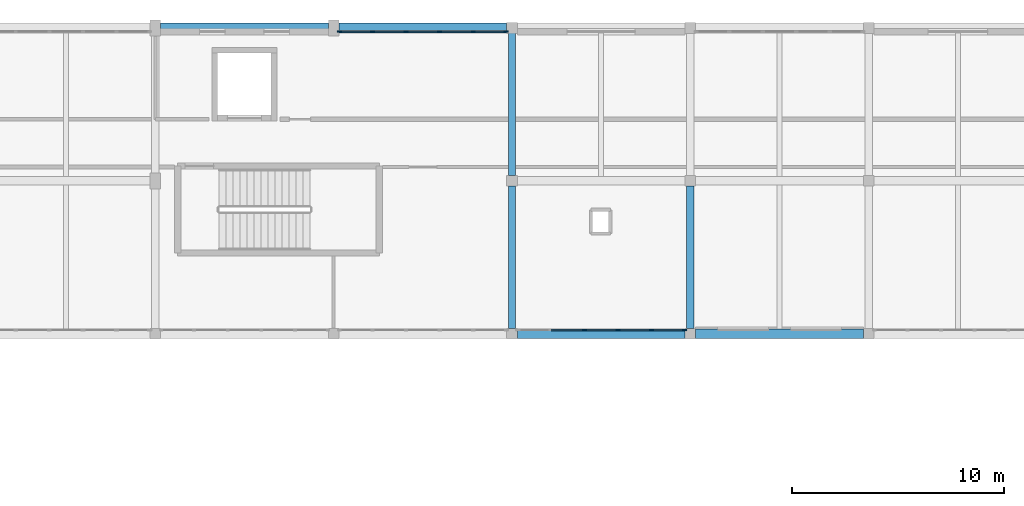
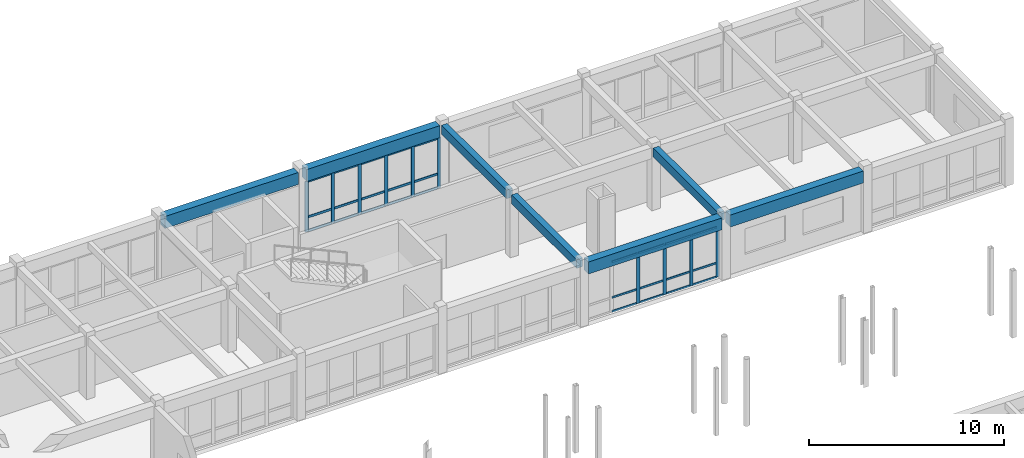
# One storey, part 50 of 89: 37 members, 7 beams, 2 elements without a shape of their own.
"""IFC4 building model written with IfcOpenShell, lengths in metres."""

from ifc_helpers import new_model, si_unit, direction, frame, origin, origin_2d, place, context, subcontext, project, spatial, rectangle, extrude, material, material_profile, profile_set, type_object, element, aggregate, save


model = new_model("IFC4")

# Units and contexts
model_context = context("Model", 3, precision=1e-05, world=origin(), true_north=direction((0.0, 1.0)))
body_context = subcontext(model_context, "Body", "Model", "MODEL_VIEW")
ifc_project = project(units=[si_unit("LENGTHUNIT", "METRE"), si_unit("AREAUNIT", "SQUARE_METRE"), si_unit("VOLUMEUNIT", "CUBIC_METRE"), si_unit("PLANEANGLEUNIT", "RADIAN"), si_unit("MASSUNIT", "GRAM", prefix="KILO")], contexts=[model_context])

# Site, building, storey
site_placement = place(None, origin())
site = spatial("IfcSite", under=ifc_project, at=site_placement, CompositionType="ELEMENT")
building_placement = place(site_placement, origin())
building = spatial("IfcBuilding", under=site, at=building_placement, Name="Malvenik Polytechnic", CompositionType="ELEMENT")
storey_placement = place(building_placement, frame((0.0, 0.0, 13.5)))
storey = spatial("IfcBuildingStorey", under=building, at=storey_placement, Name="L03", CompositionType="ELEMENT", Elevation=13.5)

# Curtain wall, members
ifc_material_1 = material(Name="Anodised aluminium 6060-T6", Category="aluminium")
curtain_wall_type = type_object("IfcCurtainWallType", Name="ARC-CW-CW-02", PredefinedType="NOTDEFINED", material=ifc_material_1)
curtain_wall_1_placement = place(storey_placement, origin())
curtain_wall_1 = element("IfcCurtainWall", 1, at=curtain_wall_1_placement, inside=storey, type_object=curtain_wall_type, Name="Unitised Curtain Wall CW-02 L03 #180", PredefinedType="NOTDEFINED")
ifc_material_2 = material(Name="Anodised aluminium", Category="aluminium")
ifc_material_profile_1 = material_profile(ifc_material_2, rectangle(XDim=0.06005859375, YDim=0.199951171875, at=origin_2d()), Name="ALU MULLION 60x200")
ifc_profile_set_1 = profile_set([ifc_material_profile_1], Name="Anodised aluminium")
member_type_1 = type_object("IfcMemberType", Name="ARC-CWM-200", PredefinedType="MULLION", material=ifc_profile_set_1)
member_1_placement = place(storey_placement, frame((101.077880859375, 129.429931640625, 0.0), z_axis=(0.0, 0.0, 1.0), x_axis=(0.0, 1.0, 0.0)))
member_1 = element("IfcMember", 2, at=member_1_placement, type_object=member_type_1, Name="CW-02 mullion 1", PredefinedType="MULLION", context=body_context, shape_type="SweptSolid", body=[
    extrude(rectangle(XDim=0.06005859375, YDim=0.199951171875, at=origin_2d()), origin(), (0.0, 0.0, 1.0), 3.159912109375),
])
member_2_placement = place(storey_placement, frame((102.62890625, 129.429931640625, 0.0), z_axis=(0.0, 0.0, 1.0), x_axis=(0.0, 1.0, 0.0)))
member_2 = element("IfcMember", 3, at=member_2_placement, type_object=member_type_1, Name="CW-02 mullion 2", PredefinedType="MULLION", context=body_context, shape_type="SweptSolid", body=[
    extrude(rectangle(XDim=0.06005859375, YDim=0.199951171875, at=origin_2d()), origin(), (0.0, 0.0, 1.0), 3.159912109375),
])
member_3_placement = place(storey_placement, frame((104.209716796875, 129.429931640625, 0.0), z_axis=(0.0, 0.0, 1.0), x_axis=(0.0, 1.0, 0.0)))
member_3 = element("IfcMember", 4, at=member_3_placement, type_object=member_type_1, Name="CW-02 mullion 3", PredefinedType="MULLION", context=body_context, shape_type="SweptSolid", body=[
    extrude(rectangle(XDim=0.06005859375, YDim=0.199951171875, at=origin_2d()), origin(), (0.0, 0.0, 1.0), 3.159912109375),
])
member_4_placement = place(storey_placement, frame((105.790283203125, 129.429931640625, 0.0), z_axis=(0.0, 0.0, 1.0), x_axis=(0.0, 1.0, 0.0)))
member_4 = element("IfcMember", 5, at=member_4_placement, type_object=member_type_1, Name="CW-02 mullion 4", PredefinedType="MULLION", context=body_context, shape_type="SweptSolid", body=[
    extrude(rectangle(XDim=0.06005859375, YDim=0.199951171875, at=origin_2d()), origin(), (0.0, 0.0, 1.0), 3.159912109375),
])
member_5_placement = place(storey_placement, frame((107.37109375, 129.429931640625, 0.0), z_axis=(0.0, 0.0, 1.0), x_axis=(0.0, 1.0, 0.0)))
member_5 = element("IfcMember", 6, at=member_5_placement, type_object=member_type_1, Name="CW-02 mullion 5", PredefinedType="MULLION", context=body_context, shape_type="SweptSolid", body=[
    extrude(rectangle(XDim=0.06005859375, YDim=0.199951171875, at=origin_2d()), origin(), (0.0, 0.0, 1.0), 3.159912109375),
])
member_6_placement = place(storey_placement, frame((108.922119140625, 129.429931640625, 0.0), z_axis=(0.0, 0.0, 1.0), x_axis=(0.0, 1.0, 0.0)))
member_6 = element("IfcMember", 7, at=member_6_placement, type_object=member_type_1, Name="CW-02 mullion 6", PredefinedType="MULLION", context=body_context, shape_type="SweptSolid", body=[
    extrude(rectangle(XDim=0.06005859375, YDim=0.199951171875, at=origin_2d()), origin(), (0.0, 0.0, 1.0), 3.159912109375),
])

curtain_wall_2_placement = place(storey_placement, origin())
curtain_wall_2 = element("IfcCurtainWall", 8, at=curtain_wall_2_placement, inside=storey, type_object=curtain_wall_type, Name="Unitised Curtain Wall CW-02 L03 #183", PredefinedType="NOTDEFINED")
member_7_placement = place(storey_placement, frame((117.322021484375, 115.3701171875, 0.0), z_axis=(0.0, 0.0, 1.0), x_axis=(0.0, -1.0, 0.0)))
member_7 = element("IfcMember", 9, at=member_7_placement, type_object=member_type_1, Name="CW-02 mullion 1", PredefinedType="MULLION", context=body_context, shape_type="SweptSolid", body=[
    extrude(rectangle(XDim=0.06005859375, YDim=0.199951171875, at=origin_2d()), origin(), (0.0, 0.0, 1.0), 3.159912109375),
])
member_8_placement = place(storey_placement, frame((115.771240234375, 115.3701171875, 0.0), z_axis=(0.0, 0.0, 1.0), x_axis=(0.0, -1.0, 0.0)))
member_8 = element("IfcMember", 10, at=member_8_placement, type_object=member_type_1, Name="CW-02 mullion 2", PredefinedType="MULLION", context=body_context, shape_type="SweptSolid", body=[
    extrude(rectangle(XDim=0.06005859375, YDim=0.199951171875, at=origin_2d()), origin(), (0.0, 0.0, 1.0), 3.159912109375),
])
member_9_placement = place(storey_placement, frame((114.1904296875, 115.3701171875, 0.0), z_axis=(0.0, 0.0, 1.0), x_axis=(0.0, -1.0, 0.0)))
member_9 = element("IfcMember", 11, at=member_9_placement, type_object=member_type_1, Name="CW-02 mullion 3", PredefinedType="MULLION", context=body_context, shape_type="SweptSolid", body=[
    extrude(rectangle(XDim=0.06005859375, YDim=0.199951171875, at=origin_2d()), origin(), (0.0, 0.0, 1.0), 3.159912109375),
])
member_10_placement = place(storey_placement, frame((112.609619140625, 115.3701171875, 0.0), z_axis=(0.0, 0.0, 1.0), x_axis=(0.0, -1.0, 0.0)))
member_10 = element("IfcMember", 12, at=member_10_placement, type_object=member_type_1, Name="CW-02 mullion 4", PredefinedType="MULLION", context=body_context, shape_type="SweptSolid", body=[
    extrude(rectangle(XDim=0.06005859375, YDim=0.199951171875, at=origin_2d()), origin(), (0.0, 0.0, 1.0), 3.159912109375),
])
ifc_material_profile_2 = material_profile(ifc_material_2, rectangle(XDim=0.06005859375, YDim=0.1201171875, at=origin_2d()), Name="ALU TRANSOM 60x120")
ifc_profile_set_2 = profile_set([ifc_material_profile_2], Name="Anodised aluminium")
member_type_2 = type_object("IfcMemberType", Name="ARC-CWT-120", PredefinedType="USERDEFINED", material=ifc_profile_set_2)
member_11_placement = place(storey_placement, frame((117.2919921875, 115.3701171875, 0.030029296875), z_axis=(-1.0, 0.0, 0.0), x_axis=(0.0, -1.0, 0.0)))
member_11 = element("IfcMember", 13, at=member_11_placement, type_object=member_type_2, Name="CW-02 transom 1.1", ObjectType="TRANSOM", PredefinedType="USERDEFINED", context=body_context, shape_type="SweptSolid", body=[
    extrude(rectangle(XDim=0.06005859375, YDim=0.1201171875, at=origin_2d()), origin(), (0.0, 0.0, 1.0), 1.49072265625),
])
member_12_placement = place(storey_placement, frame((117.2919921875, 115.3701171875, 0.89990234375), z_axis=(-1.0, 0.0, 0.0), x_axis=(0.0, -1.0, 0.0)))
member_12 = element("IfcMember", 14, at=member_12_placement, type_object=member_type_2, Name="CW-02 transom 1.2", ObjectType="TRANSOM", PredefinedType="USERDEFINED", context=body_context, shape_type="SweptSolid", body=[
    extrude(rectangle(XDim=0.06005859375, YDim=0.1201171875, at=origin_2d()), origin(), (0.0, 0.0, 1.0), 1.49072265625),
])
member_13_placement = place(storey_placement, frame((117.2919921875, 115.3701171875, 3.1298828125), z_axis=(-1.0, 0.0, 0.0), x_axis=(0.0, -1.0, 0.0)))
member_13 = element("IfcMember", 15, at=member_13_placement, type_object=member_type_2, Name="CW-02 transom 1.3", ObjectType="TRANSOM", PredefinedType="USERDEFINED", context=body_context, shape_type="SweptSolid", body=[
    extrude(rectangle(XDim=0.06005859375, YDim=0.1201171875, at=origin_2d()), origin(), (0.0, 0.0, 1.0), 1.49072265625),
])
member_14_placement = place(storey_placement, frame((115.7412109375, 115.3701171875, 0.030029296875), z_axis=(-1.0, 0.0, 0.0), x_axis=(0.0, -1.0, 0.0)))
member_14 = element("IfcMember", 16, at=member_14_placement, type_object=member_type_2, Name="CW-02 transom 2.1", ObjectType="TRANSOM", PredefinedType="USERDEFINED", context=body_context, shape_type="SweptSolid", body=[
    extrude(rectangle(XDim=0.06005859375, YDim=0.1201171875, at=origin_2d()), origin(), (0.0, 0.0, 1.0), 1.520751953125),
])
member_15_placement = place(storey_placement, frame((115.7412109375, 115.3701171875, 0.89990234375), z_axis=(-1.0, 0.0, 0.0), x_axis=(0.0, -1.0, 0.0)))
member_15 = element("IfcMember", 17, at=member_15_placement, type_object=member_type_2, Name="CW-02 transom 2.2", ObjectType="TRANSOM", PredefinedType="USERDEFINED", context=body_context, shape_type="SweptSolid", body=[
    extrude(rectangle(XDim=0.06005859375, YDim=0.1201171875, at=origin_2d()), origin(), (0.0, 0.0, 1.0), 1.520751953125),
])
member_16_placement = place(storey_placement, frame((115.7412109375, 115.3701171875, 3.1298828125), z_axis=(-1.0, 0.0, 0.0), x_axis=(0.0, -1.0, 0.0)))
member_16 = element("IfcMember", 18, at=member_16_placement, type_object=member_type_2, Name="CW-02 transom 2.3", ObjectType="TRANSOM", PredefinedType="USERDEFINED", context=body_context, shape_type="SweptSolid", body=[
    extrude(rectangle(XDim=0.06005859375, YDim=0.1201171875, at=origin_2d()), origin(), (0.0, 0.0, 1.0), 1.520751953125),
])
member_17_placement = place(storey_placement, frame((114.160400390625, 115.3701171875, 0.030029296875), z_axis=(-1.0, 0.0, 0.0), x_axis=(0.0, -1.0, 0.0)))
member_17 = element("IfcMember", 19, at=member_17_placement, type_object=member_type_2, Name="CW-02 transom 3.1", ObjectType="TRANSOM", PredefinedType="USERDEFINED", context=body_context, shape_type="SweptSolid", body=[
    extrude(rectangle(XDim=0.06005859375, YDim=0.1201171875, at=origin_2d()), origin(), (0.0, 0.0, 1.0), 1.520751953125),
])
member_18_placement = place(storey_placement, frame((114.160400390625, 115.3701171875, 0.89990234375), z_axis=(-1.0, 0.0, 0.0), x_axis=(0.0, -1.0, 0.0)))
member_18 = element("IfcMember", 20, at=member_18_placement, type_object=member_type_2, Name="CW-02 transom 3.2", ObjectType="TRANSOM", PredefinedType="USERDEFINED", context=body_context, shape_type="SweptSolid", body=[
    extrude(rectangle(XDim=0.06005859375, YDim=0.1201171875, at=origin_2d()), origin(), (0.0, 0.0, 1.0), 1.520751953125),
])
member_19_placement = place(storey_placement, frame((114.160400390625, 115.3701171875, 3.1298828125), z_axis=(-1.0, 0.0, 0.0), x_axis=(0.0, -1.0, 0.0)))
member_19 = element("IfcMember", 21, at=member_19_placement, type_object=member_type_2, Name="CW-02 transom 3.3", ObjectType="TRANSOM", PredefinedType="USERDEFINED", context=body_context, shape_type="SweptSolid", body=[
    extrude(rectangle(XDim=0.06005859375, YDim=0.1201171875, at=origin_2d()), origin(), (0.0, 0.0, 1.0), 1.520751953125),
])
member_20_placement = place(storey_placement, frame((112.57958984375, 115.3701171875, 0.030029296875), z_axis=(-1.0, 0.0, 0.0), x_axis=(0.0, -1.0, 0.0)))
member_20 = element("IfcMember", 22, at=member_20_placement, type_object=member_type_2, Name="CW-02 transom 4.1", ObjectType="TRANSOM", PredefinedType="USERDEFINED", context=body_context, shape_type="SweptSolid", body=[
    extrude(rectangle(XDim=0.06005859375, YDim=0.1201171875, at=origin_2d()), origin(), (0.0, 0.0, 1.0), 1.520751953125),
])
member_21_placement = place(storey_placement, frame((112.57958984375, 115.3701171875, 0.89990234375), z_axis=(-1.0, 0.0, 0.0), x_axis=(0.0, -1.0, 0.0)))
member_21 = element("IfcMember", 23, at=member_21_placement, type_object=member_type_2, Name="CW-02 transom 4.2", ObjectType="TRANSOM", PredefinedType="USERDEFINED", context=body_context, shape_type="SweptSolid", body=[
    extrude(rectangle(XDim=0.06005859375, YDim=0.1201171875, at=origin_2d()), origin(), (0.0, 0.0, 1.0), 1.520751953125),
])
member_22_placement = place(storey_placement, frame((112.57958984375, 115.3701171875, 3.1298828125), z_axis=(-1.0, 0.0, 0.0), x_axis=(0.0, -1.0, 0.0)))
member_22 = element("IfcMember", 24, at=member_22_placement, type_object=member_type_2, Name="CW-02 transom 4.3", ObjectType="TRANSOM", PredefinedType="USERDEFINED", context=body_context, shape_type="SweptSolid", body=[
    extrude(rectangle(XDim=0.06005859375, YDim=0.1201171875, at=origin_2d()), origin(), (0.0, 0.0, 1.0), 1.520751953125),
])
aggregate(curtain_wall_2, [member_7, member_8, member_9, member_10, member_11, member_12, member_13, member_14, member_15, member_16, member_17, member_18, member_19, member_20, member_21, member_22])

# Member
ifc_material_profile_3 = material_profile(ifc_material_2, rectangle(XDim=0.06005859375, YDim=0.139892578125, at=origin_2d()), Name="ALU TRANSOM 60x140")
ifc_profile_set_3 = profile_set([ifc_material_profile_3], Name="Anodised aluminium")
member_type_3 = type_object("IfcMemberType", Name="ARC-CWT-140", PredefinedType="USERDEFINED", material=ifc_profile_set_3)
member_23_placement = place(storey_placement, frame((101.10791015625, 129.429931640625, 0.030029296875), z_axis=(1.0, 0.0, 0.0), x_axis=(0.0, 1.0, 0.0)))
member_23 = element("IfcMember", 25, at=member_23_placement, type_object=member_type_3, Name="CW-02 transom 1.1", ObjectType="TRANSOM", PredefinedType="USERDEFINED", context=body_context, shape_type="SweptSolid", body=[
    extrude(rectangle(XDim=0.06005859375, YDim=0.139892578125, at=origin_2d()), origin(), (0.0, 0.0, 1.0), 1.490966796875),
])

member_24_placement = place(storey_placement, frame((101.10791015625, 129.429931640625, 0.89990234375), z_axis=(1.0, 0.0, 0.0), x_axis=(0.0, 1.0, 0.0)))
member_24 = element("IfcMember", 26, at=member_24_placement, type_object=member_type_3, Name="CW-02 transom 1.2", ObjectType="TRANSOM", PredefinedType="USERDEFINED", context=body_context, shape_type="SweptSolid", body=[
    extrude(rectangle(XDim=0.06005859375, YDim=0.139892578125, at=origin_2d()), origin(), (0.0, 0.0, 1.0), 1.490966796875),
])

member_25_placement = place(storey_placement, frame((101.10791015625, 129.429931640625, 3.1298828125), z_axis=(1.0, 0.0, 0.0), x_axis=(0.0, 1.0, 0.0)))
member_25 = element("IfcMember", 27, at=member_25_placement, type_object=member_type_3, Name="CW-02 transom 1.3", ObjectType="TRANSOM", PredefinedType="USERDEFINED", context=body_context, shape_type="SweptSolid", body=[
    extrude(rectangle(XDim=0.06005859375, YDim=0.139892578125, at=origin_2d()), origin(), (0.0, 0.0, 1.0), 1.490966796875),
])

member_26_placement = place(storey_placement, frame((102.65869140625, 129.429931640625, 0.030029296875), z_axis=(1.0, 0.0, 0.0), x_axis=(0.0, 1.0, 0.0)))
member_26 = element("IfcMember", 28, at=member_26_placement, type_object=member_type_3, Name="CW-02 transom 2.1", ObjectType="TRANSOM", PredefinedType="USERDEFINED", context=body_context, shape_type="SweptSolid", body=[
    extrude(rectangle(XDim=0.06005859375, YDim=0.139892578125, at=origin_2d()), origin(), (0.0, 0.0, 1.0), 1.52099609375),
])

member_27_placement = place(storey_placement, frame((102.65869140625, 129.429931640625, 0.89990234375), z_axis=(1.0, 0.0, 0.0), x_axis=(0.0, 1.0, 0.0)))
member_27 = element("IfcMember", 29, at=member_27_placement, type_object=member_type_3, Name="CW-02 transom 2.2", ObjectType="TRANSOM", PredefinedType="USERDEFINED", context=body_context, shape_type="SweptSolid", body=[
    extrude(rectangle(XDim=0.06005859375, YDim=0.139892578125, at=origin_2d()), origin(), (0.0, 0.0, 1.0), 1.52099609375),
])

member_28_placement = place(storey_placement, frame((102.65869140625, 129.429931640625, 3.1298828125), z_axis=(1.0, 0.0, 0.0), x_axis=(0.0, 1.0, 0.0)))
member_28 = element("IfcMember", 30, at=member_28_placement, type_object=member_type_3, Name="CW-02 transom 2.3", ObjectType="TRANSOM", PredefinedType="USERDEFINED", context=body_context, shape_type="SweptSolid", body=[
    extrude(rectangle(XDim=0.06005859375, YDim=0.139892578125, at=origin_2d()), origin(), (0.0, 0.0, 1.0), 1.52099609375),
])

member_29_placement = place(storey_placement, frame((104.239501953125, 129.429931640625, 0.030029296875), z_axis=(1.0, 0.0, 0.0), x_axis=(0.0, 1.0, 0.0)))
member_29 = element("IfcMember", 31, at=member_29_placement, type_object=member_type_3, Name="CW-02 transom 3.1", ObjectType="TRANSOM", PredefinedType="USERDEFINED", context=body_context, shape_type="SweptSolid", body=[
    extrude(rectangle(XDim=0.06005859375, YDim=0.139892578125, at=origin_2d()), origin(), (0.0, 0.0, 1.0), 1.52099609375),
])

member_30_placement = place(storey_placement, frame((104.239501953125, 129.429931640625, 0.89990234375), z_axis=(1.0, 0.0, 0.0), x_axis=(0.0, 1.0, 0.0)))
member_30 = element("IfcMember", 32, at=member_30_placement, type_object=member_type_3, Name="CW-02 transom 3.2", ObjectType="TRANSOM", PredefinedType="USERDEFINED", context=body_context, shape_type="SweptSolid", body=[
    extrude(rectangle(XDim=0.06005859375, YDim=0.139892578125, at=origin_2d()), origin(), (0.0, 0.0, 1.0), 1.52099609375),
])

member_31_placement = place(storey_placement, frame((104.239501953125, 129.429931640625, 3.1298828125), z_axis=(1.0, 0.0, 0.0), x_axis=(0.0, 1.0, 0.0)))
member_31 = element("IfcMember", 33, at=member_31_placement, type_object=member_type_3, Name="CW-02 transom 3.3", ObjectType="TRANSOM", PredefinedType="USERDEFINED", context=body_context, shape_type="SweptSolid", body=[
    extrude(rectangle(XDim=0.06005859375, YDim=0.139892578125, at=origin_2d()), origin(), (0.0, 0.0, 1.0), 1.52099609375),
])

member_32_placement = place(storey_placement, frame((105.8203125, 129.429931640625, 0.030029296875), z_axis=(1.0, 0.0, 0.0), x_axis=(0.0, 1.0, 0.0)))
member_32 = element("IfcMember", 34, at=member_32_placement, type_object=member_type_3, Name="CW-02 transom 4.1", ObjectType="TRANSOM", PredefinedType="USERDEFINED", context=body_context, shape_type="SweptSolid", body=[
    extrude(rectangle(XDim=0.06005859375, YDim=0.139892578125, at=origin_2d()), origin(), (0.0, 0.0, 1.0), 1.52099609375),
])

member_33_placement = place(storey_placement, frame((105.8203125, 129.429931640625, 0.89990234375), z_axis=(1.0, 0.0, 0.0), x_axis=(0.0, 1.0, 0.0)))
member_33 = element("IfcMember", 35, at=member_33_placement, type_object=member_type_3, Name="CW-02 transom 4.2", ObjectType="TRANSOM", PredefinedType="USERDEFINED", context=body_context, shape_type="SweptSolid", body=[
    extrude(rectangle(XDim=0.06005859375, YDim=0.139892578125, at=origin_2d()), origin(), (0.0, 0.0, 1.0), 1.52099609375),
])

member_34_placement = place(storey_placement, frame((105.8203125, 129.429931640625, 3.1298828125), z_axis=(1.0, 0.0, 0.0), x_axis=(0.0, 1.0, 0.0)))
member_34 = element("IfcMember", 36, at=member_34_placement, type_object=member_type_3, Name="CW-02 transom 4.3", ObjectType="TRANSOM", PredefinedType="USERDEFINED", context=body_context, shape_type="SweptSolid", body=[
    extrude(rectangle(XDim=0.06005859375, YDim=0.139892578125, at=origin_2d()), origin(), (0.0, 0.0, 1.0), 1.52099609375),
])

member_35_placement = place(storey_placement, frame((107.401123046875, 129.429931640625, 0.030029296875), z_axis=(1.0, 0.0, 0.0), x_axis=(0.0, 1.0, 0.0)))
member_35 = element("IfcMember", 37, at=member_35_placement, type_object=member_type_3, Name="CW-02 transom 5.1", ObjectType="TRANSOM", PredefinedType="USERDEFINED", context=body_context, shape_type="SweptSolid", body=[
    extrude(rectangle(XDim=0.06005859375, YDim=0.139892578125, at=origin_2d()), origin(), (0.0, 0.0, 1.0), 1.490966796875),
])

member_36_placement = place(storey_placement, frame((107.401123046875, 129.429931640625, 0.89990234375), z_axis=(1.0, 0.0, 0.0), x_axis=(0.0, 1.0, 0.0)))
member_36 = element("IfcMember", 38, at=member_36_placement, type_object=member_type_3, Name="CW-02 transom 5.2", ObjectType="TRANSOM", PredefinedType="USERDEFINED", context=body_context, shape_type="SweptSolid", body=[
    extrude(rectangle(XDim=0.06005859375, YDim=0.139892578125, at=origin_2d()), origin(), (0.0, 0.0, 1.0), 1.490966796875),
])

member_37_placement = place(storey_placement, frame((107.401123046875, 129.429931640625, 3.1298828125), z_axis=(1.0, 0.0, 0.0), x_axis=(0.0, 1.0, 0.0)))
member_37 = element("IfcMember", 39, at=member_37_placement, type_object=member_type_3, Name="CW-02 transom 5.3", ObjectType="TRANSOM", PredefinedType="USERDEFINED", context=body_context, shape_type="SweptSolid", body=[
    extrude(rectangle(XDim=0.06005859375, YDim=0.139892578125, at=origin_2d()), origin(), (0.0, 0.0, 1.0), 1.490966796875),
])

aggregate(curtain_wall_1, [member_1, member_2, member_3, member_4, member_5, member_6, member_23, member_24, member_25, member_26, member_27, member_28, member_29, member_30, member_31, member_32, member_33, member_34, member_35, member_36, member_37])

# Beams
ifc_material_3 = material(Name="Concrete C35/45", Category="concrete")
ifc_material_profile_4 = material_profile(ifc_material_3, rectangle(XDim=0.35009765625, YDim=0.550048828125, at=origin_2d()), Name="RC BM 350x550")
ifc_profile_set_4 = profile_set([ifc_material_profile_4], Name="Concrete C35/45")
beam_type_1 = type_object("IfcBeamType", Name="STR-BM-B-08", PredefinedType="BEAM", material=ifc_profile_set_4)
for number, where, z_axis, x_axis, name in (
    (40, (109.199951171875, 115.447998046875, 3.64501953125), (0.0, 1.0, 0.0), (-1.0, 0.0, 0.0), "Transverse Beam B-08 L03 #1770"),
    (41, (109.199951171875, 122.64794921875, 3.64501953125), (0.0, 1.0, 0.0), (-1.0, 0.0, 0.0), "Transverse Beam B-08 L03 #1771"),
    (42, (117.60009765625, 115.447998046875, 3.64501953125), (0.0, 1.0, 0.0), (-1.0, 0.0, 0.0), "Transverse Beam B-08 L03 #1774"),
):
    element("IfcBeam", number, at=place(storey_placement, frame(where, z_axis=z_axis, x_axis=x_axis)), inside=storey, type_object=beam_type_1, Name=name, PredefinedType="BEAM", context=body_context, shape_type="SweptSolid", body=[
        extrude(rectangle(XDim=0.35009765625, YDim=0.550048828125, at=origin_2d()), origin(), (0.0, 0.0, 1.0), 6.7041015625),
    ])
ifc_material_4 = material(Name="Precast concrete C40/50", Category="concrete")
ifc_material_profile_5 = material_profile(ifc_material_4, rectangle(XDim=0.4599609375, YDim=0.75, at=origin_2d()), Name="PC SPN 460x750")
ifc_profile_set_5 = profile_set([ifc_material_profile_5], Name="Precast concrete C40/50")
beam_type_2 = type_object("IfcBeamType", Name="STR-BM-SP-02", PredefinedType="SPANDREL", material=ifc_profile_set_5)
for number, where, z_axis, x_axis, name in (
    (43, (109.447998046875, 115.199951171875, 3.544921875), (1.0, 0.0, 0.0), (0.0, 1.0, 0.0), "Primary Beam SP-02 L03 #1690"),
    (44, (117.847900390625, 115.199951171875, 3.544921875), (1.0, 0.0, 0.0), (0.0, 1.0, 0.0), "Primary Beam SP-02 L03 #1691"),
    (45, (92.64794921875, 129.60009765625, 3.544921875), (1.0, 0.0, 0.0), (0.0, 1.0, 0.0), "Primary Beam SP-02 L03 #1714"),
):
    element("IfcBeam", number, at=place(storey_placement, frame(where, z_axis=z_axis, x_axis=x_axis)), inside=storey, type_object=beam_type_2, Name=name, PredefinedType="SPANDREL", context=body_context, shape_type="SweptSolid", body=[
        extrude(rectangle(XDim=0.4599609375, YDim=0.75, at=origin_2d()), origin(), (0.0, 0.0, 1.0), 7.904052734375),
    ])
beam_placement = place(storey_placement, frame((101.048095703125, 129.60009765625, 3.544921875), z_axis=(1.0, 0.0, 0.0), x_axis=(0.0, 1.0, 0.0)))
element("IfcBeam", 46, at=beam_placement, inside=storey, type_object=beam_type_2, Name="Primary Beam SP-02 L03 #1715", PredefinedType="SPANDREL", context=body_context, shape_type="SweptSolid", body=[
    extrude(rectangle(XDim=0.4599609375, YDim=0.75, at=origin_2d()), origin(), (0.0, 0.0, 1.0), 7.90380859375),
])

save(model, "model.ifc")
